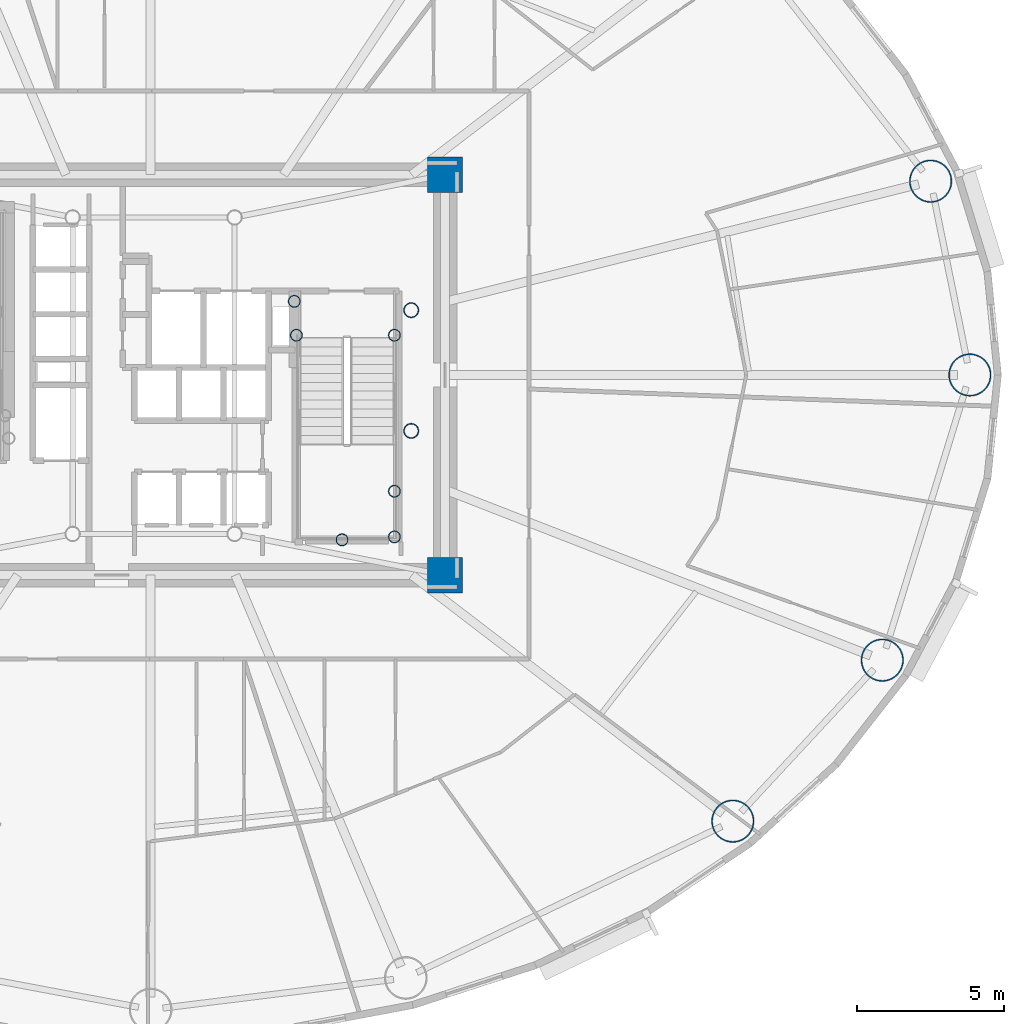
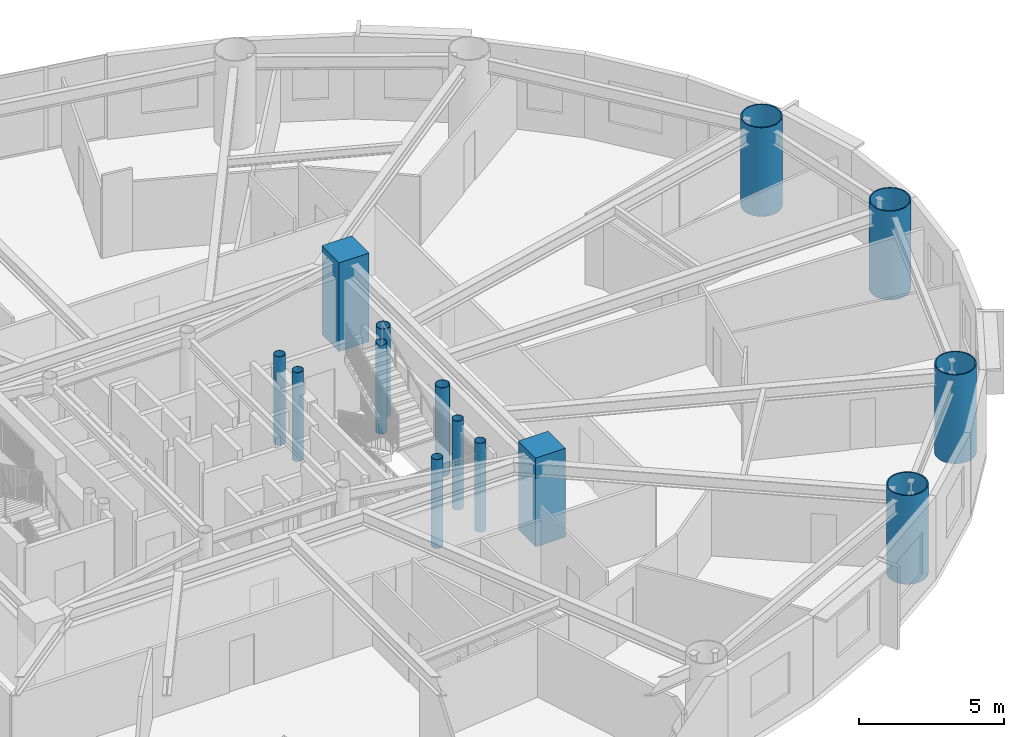
# One storey, part 2 of 16: 14 columns.
"""IFC4 building model written with IfcOpenShell, lengths in metres."""

from ifc_helpers import new_model, si_unit, direction, frame, origin, origin_2d, place, context, subcontext, project, spatial, rectangle, hollow_circle, extrude, material, material_profile, profile_set, type_object, element, save


model = new_model("IFC4")

# Units and contexts
model_context = context("Model", 3, precision=1e-05, world=origin(), true_north=direction((0.0, 1.0)))
body_context = subcontext(model_context, "Body", "Model", "MODEL_VIEW")
ifc_project = project(units=[si_unit("LENGTHUNIT", "METRE"), si_unit("AREAUNIT", "SQUARE_METRE"), si_unit("VOLUMEUNIT", "CUBIC_METRE"), si_unit("PLANEANGLEUNIT", "RADIAN"), si_unit("MASSUNIT", "GRAM", prefix="KILO")], contexts=[model_context])

# Site, building, storey
site_placement = place(None, origin())
site = spatial("IfcSite", under=ifc_project, at=site_placement, CompositionType="ELEMENT")
building_placement = place(site_placement, origin())
building = spatial("IfcBuilding", under=site, at=building_placement, Name="Linh Dai School and Residence Tower", CompositionType="ELEMENT")
storey_placement = place(building_placement, frame((0.0, 0.0, 108.449951171875)))
storey = spatial("IfcBuildingStorey", under=building, at=storey_placement, Name="L25", CompositionType="ELEMENT", Elevation=108.449951171875)

# Columns
ifc_material_1 = material(Name="Concrete B60 (C50/60)", Category="concrete")
ifc_material_profile_1 = material_profile(ifc_material_1, rectangle(XDim=1.199951171875, YDim=1.199951171875, at=origin_2d()), Name="RC 1200x1200")
ifc_profile_set_1 = profile_set([ifc_material_profile_1], Name="Concrete B60 (C50/60)")
column_type_1 = type_object("IfcColumnType", Name="COL-CC2", PredefinedType="COLUMN", material=ifc_profile_set_1)
for number, where, z_axis, x_axis, name in (
    (1, (46.0, 20.199951171875, 0.0), (0.0, 0.0, 1.0), (1.0, 0.0, 0.0), "L25 Core Corner Pier CC2"),
    (2, (46.0, 33.800048828125, 0.0), (0.0, 0.0, 1.0), (1.0, 0.0, 0.0), "L25 Core Corner Pier CC3"),
):
    element("IfcColumn", number, at=place(storey_placement, frame(where, z_axis=z_axis, x_axis=x_axis)), inside=storey, type_object=column_type_1, Name=name, PredefinedType="COLUMN", context=body_context, shape_type="SweptSolid", body=[
        extrude(rectangle(XDim=1.199951171875, YDim=1.199951171875, at=origin_2d()), origin(), (0.0, 0.0, 1.0), 3.75),
    ])
ifc_material_2 = material(Name="Structural Steel S355JR", Category="steel")
ifc_material_profile_2 = material_profile(ifc_material_2, hollow_circle(Radius=0.203125, WallThickness=0.01611328125, at=origin_2d()), Name="CHS 406.4x16")
ifc_profile_set_2 = profile_set([ifc_material_profile_2], Name="Structural Steel S355JR")
column_type_2 = type_object("IfcColumnType", Name="COL-EC", PredefinedType="COLUMN", material=ifc_profile_set_2)
for number, where, z_axis, x_axis, name in (
    (3, (44.280029296875, 21.5, 0.0), (0.0, 0.0, 1.0), (1.0, 0.0, 0.0), "L25 Stair Shaft Landing Support Pier ST2SE"),
    (4, (44.280029296875, 23.050048828125, 0.0), (0.0, 0.0, 1.0), (1.0, 0.0, 0.0), "L25 Stair Shaft Landing Support Pier ST2NE"),
    (5, (42.5, 21.39990234375, 0.0), (0.0, 0.0, 1.0), (1.0, 0.0, 0.0), "L25 Stair Shaft Landing Support Pier ST2MS"),
    (6, (40.949951171875, 28.35009765625, 0.0), (0.0, 0.0, 1.0), (1.0, 0.0, 0.0), "L25 Stair Shaft Landing Support Pier ST2N1"),
    (7, (44.280029296875, 28.35009765625, 0.0), (0.0, 0.0, 1.0), (1.0, 0.0, 0.0), "L25 Stair Shaft Landing Support Pier ST2N2"),
    (8, (40.8798828125, 29.5, 0.0), (0.0, 0.0, 1.0), (1.0, 0.0, 0.0), "L25 Stair Shaft Landing Support Pier ST2N3"),
):
    element("IfcColumn", number, at=place(storey_placement, frame(where, z_axis=z_axis, x_axis=x_axis)), inside=storey, type_object=column_type_2, Name=name, PredefinedType="COLUMN", context=body_context, shape_type="SweptSolid", body=[
        extrude(hollow_circle(Radius=0.203125, WallThickness=0.01611328125, at=origin_2d()), origin(), (0.0, 0.0, 1.0), 3.75),
    ])
ifc_material_profile_3 = material_profile(ifc_material_2, hollow_circle(Radius=0.72509765625, WallThickness=0.0419921875, at=origin_2d()), Name="CHS 1450x42")
ifc_profile_set_3 = profile_set([ifc_material_profile_3], Name="Structural Steel S355JR")
column_type_3 = type_object("IfcColumnType", Name="COL-MC3", PredefinedType="COLUMN", material=ifc_profile_set_3)
for number, where, z_axis, x_axis, name in (
    (9, (63.824951171875, 27.0, 0.0), (0.0, 0.0, 1.0), (1.0, 0.0, 0.0), "L25 Perimeter CFT Mega-Column MC01"),
    (10, (62.49267578125, 33.5810546875, 0.0), (0.0, 0.0, 1.0), (1.0, 0.0, 0.0), "L25 Perimeter CFT Mega-Column MC02"),
    (11, (55.772705078125, 11.844482421875, 0.0), (0.0, 0.0, 1.0), (1.0, 0.0, 0.0), "L25 Perimeter CFT Mega-Column MC15"),
    (12, (60.84912109375, 17.3125, 0.0), (0.0, 0.0, 1.0), (1.0, 0.0, 0.0), "L25 Perimeter CFT Mega-Column MC16"),
):
    element("IfcColumn", number, at=place(storey_placement, frame(where, z_axis=z_axis, x_axis=x_axis)), inside=storey, type_object=column_type_3, Name=name, PredefinedType="COLUMN", context=body_context, shape_type="SweptSolid", body=[
        extrude(hollow_circle(Radius=0.72509765625, WallThickness=0.0419921875, at=origin_2d()), origin(), (0.0, 0.0, 1.0), 3.75),
    ])
ifc_material_profile_4 = material_profile(ifc_material_2, hollow_circle(Radius=0.25390625, WallThickness=0.02001953125, at=origin_2d()), Name="CHS 508x20")
ifc_profile_set_4 = profile_set([ifc_material_profile_4], Name="Structural Steel S355JR")
column_type_4 = type_object("IfcColumnType", Name="COL-MCP", PredefinedType="COLUMN", material=ifc_profile_set_4)
for number, where, z_axis, x_axis, name in (
    (13, (44.85009765625, 25.10009765625, 0.0), (0.0, 0.0, 1.0), (1.0, 0.0, 0.0), "L25 Sky-Lounge Core Anchor Pier S"),
    (14, (44.85009765625, 29.199951171875, 0.0), (0.0, 0.0, 1.0), (1.0, 0.0, 0.0), "L25 Sky-Lounge Core Anchor Pier N"),
):
    element("IfcColumn", number, at=place(storey_placement, frame(where, z_axis=z_axis, x_axis=x_axis)), inside=storey, type_object=column_type_4, Name=name, PredefinedType="COLUMN", context=body_context, shape_type="SweptSolid", body=[
        extrude(hollow_circle(Radius=0.25390625, WallThickness=0.02001953125, at=origin_2d()), origin(), (0.0, 0.0, 1.0), 3.75),
    ])

save(model, "model.ifc")
